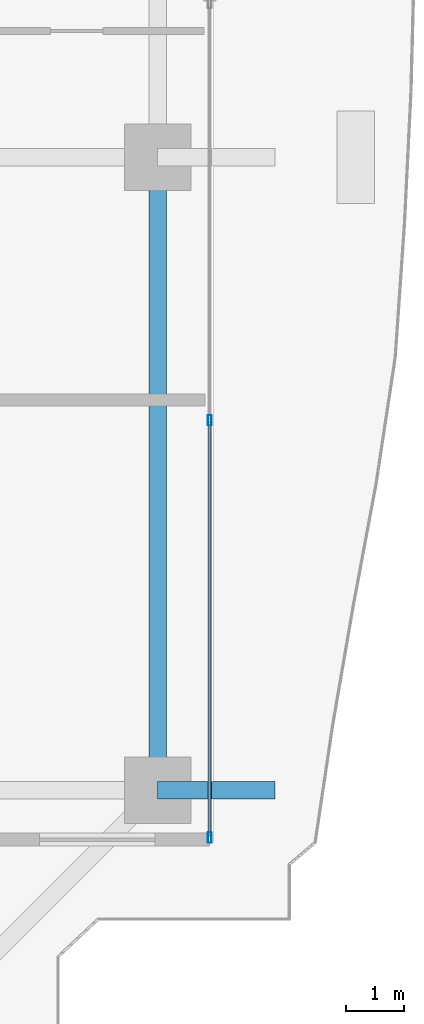
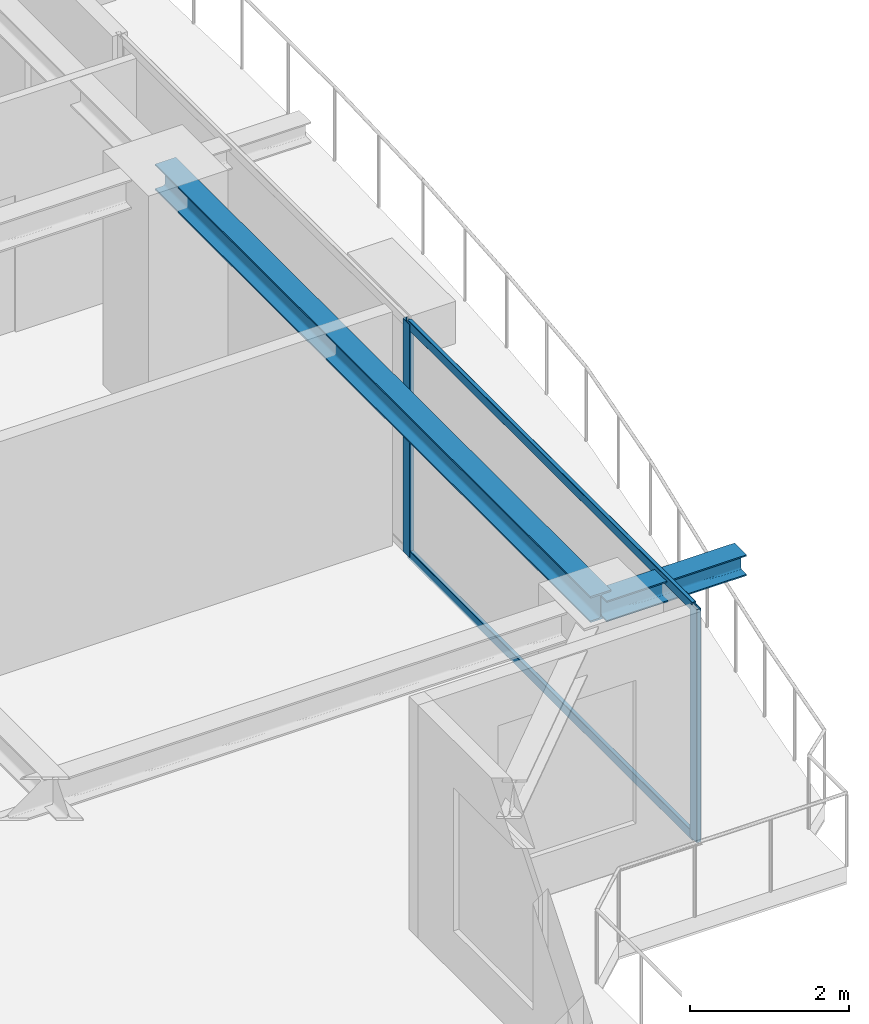
# One storey, part 13 of 37: 4 members, 2 beams, 1 element without a shape of its own.
"""IFC4 building model written with IfcOpenShell, lengths in metres."""

import ifcopenshell
import ifcopenshell.guid

model = None  # the IFC model being written
_history = None  # IfcOwnerHistory: only IFC2X3 demands one
_inside = {}  # id of a spatial element -> (the spatial element, [elements in it])
_under = {}  # id of a project, library or spatial element -> (it, [spatial elements below it])
_declared = {}  # id of a project -> (the project, [libraries it declares])
_typed = {}  # id of a type object -> (the type object, [elements of that type])
_made_of = {}  # id of a material, layer set ... -> (it, [elements and type objects made of it])


def new_model(schema):
    """Start an empty IFC model of exactly this schema.

    Asked for "IFC4X3", IfcOpenShell would pick the latest addendum, in which some entities
    have other attributes; the version numbers below select the first issue.
    IFC2X3 requires an IfcOwnerHistory on every rooted entity: one is made here for all.
    """
    global model, _history
    if schema == "IFC4X3":
        model = ifcopenshell.file(schema_version=(4, 3, 0, 0))
    else:
        model = ifcopenshell.file(schema=schema)
    _inside.clear()
    _under.clear()
    _declared.clear()
    _typed.clear()
    _made_of.clear()
    _history = None
    if model.schema == "IFC2X3":
        org = make("IfcOrganization", Name="unknown")
        user = make(
            "IfcPersonAndOrganization",
            ThePerson=make("IfcPerson", FamilyName="unknown"),
            TheOrganization=org,
        )
        app = make(
            "IfcApplication",
            ApplicationDeveloper=org,
            Version="unknown",
            ApplicationFullName="unknown",
            ApplicationIdentifier="unknown",
        )
        _history = make(
            "IfcOwnerHistory",
            OwningUser=user,
            OwningApplication=app,
            ChangeAction="ADDED",
            CreationDate=0,
        )
    return model


def make(cls, **values):
    """One entity of the class cls with the attributes given. An attribute that is None is left unset."""
    return model.create_entity(
        cls, **{name: value for name, value in values.items() if value is not None}
    )


def rooted(cls, **values):
    """An entity with a GlobalId (a new one), such as an element, a storey or a relation."""
    return make(cls, GlobalId=ifcopenshell.guid.new(), OwnerHistory=_history, **values)


def si_unit(unit_type, name, prefix=None):
    """IfcSIUnit, for example si_unit("LENGTHUNIT", "METRE", prefix="MILLI")."""
    return make("IfcSIUnit", UnitType=unit_type, Prefix=prefix, Name=name)


def assignment(units):
    """IfcUnitAssignment: the units of a project."""
    return None if units is None else make("IfcUnitAssignment", Units=units)


def point(xyz):
    """IfcCartesianPoint."""
    return None if xyz is None else make("IfcCartesianPoint", Coordinates=xyz)


def direction(xyz):
    """IfcDirection."""
    return None if xyz is None else make("IfcDirection", DirectionRatios=xyz)


def frame(location, z_axis=None, x_axis=None):
    """IfcAxis2Placement3D, a coordinate frame: its origin and axes. An axis left out is left unset."""
    return make(
        "IfcAxis2Placement3D",
        Location=point(location),
        Axis=direction(z_axis),
        RefDirection=direction(x_axis),
    )


def frame_2d(location, x_axis=None):
    """IfcAxis2Placement2D, a coordinate frame in the plane: its origin and x axis."""
    return make(
        "IfcAxis2Placement2D", Location=point(location), RefDirection=direction(x_axis)
    )


def origin():
    """The frame at (0, 0, 0) with its axes left unset."""
    return frame((0.0, 0.0, 0.0))


def origin_2d():
    """The frame at (0, 0) in the plane with its x axis left unset."""
    return frame_2d((0.0, 0.0))


def place(relative_to, where):
    """IfcLocalPlacement: puts the frame where relative to a parent placement (None: the world)."""
    return make(
        "IfcLocalPlacement", PlacementRelTo=relative_to, RelativePlacement=where
    )


def context(
    kind, dimensions, precision=None, world=None, true_north=None, identifier=None
):
    """IfcGeometricRepresentationContext, for example the 3D "Model" context."""
    return make(
        "IfcGeometricRepresentationContext",
        ContextIdentifier=identifier,
        ContextType=kind,
        CoordinateSpaceDimension=dimensions,
        Precision=precision,
        WorldCoordinateSystem=world,
        TrueNorth=true_north,
    )


def subcontext(parent, identifier, kind, view, scale=None):
    """IfcGeometricRepresentationSubContext, for example "Body" below "Model"."""
    return make(
        "IfcGeometricRepresentationSubContext",
        ContextIdentifier=identifier,
        ContextType=kind,
        ParentContext=parent,
        TargetScale=scale,
        TargetView=view,
    )


def project(units=None, contexts=None):
    """IfcProject with its units and contexts."""
    return rooted(
        "IfcProject",
        Name="project",
        RepresentationContexts=contexts,
        UnitsInContext=assignment(units),
    )


def spatial(cls, under=None, at=None, **own):
    """A site, building, storey or space (cls), placed at a placement, below another one or the project."""
    s = rooted(cls, ObjectPlacement=at, **own)
    if under is not None:
        _under.setdefault(under.id(), (under, []))[1].append(s)
    return s


def profile(cls, at=None, kind="AREA", **sizes):
    """A parametric profile (cls). Its sizes go by their IFC names, for example OverallWidth=200.0."""
    return make(cls, ProfileType=kind, Position=at, **sizes)


def hollow_rectangle(**sizes):
    """IfcRectangleHollowProfileDef."""
    return profile("IfcRectangleHollowProfileDef", **sizes)


def i_section(**sizes):
    """IfcIShapeProfileDef."""
    return profile("IfcIShapeProfileDef", **sizes)


def extrude(swept, where, along, depth):
    """IfcExtrudedAreaSolid: the profile swept, set in the frame where, extruded along a direction by depth."""
    return make(
        "IfcExtrudedAreaSolid",
        SweptArea=swept,
        Position=where,
        ExtrudedDirection=direction(along),
        Depth=depth,
    )


def shape(context_of_items, identifier, shape_type, items):
    """IfcShapeRepresentation: the items that make up one representation, for example the "Body"."""
    return make(
        "IfcShapeRepresentation",
        ContextOfItems=context_of_items,
        RepresentationIdentifier=identifier,
        RepresentationType=shape_type,
        Items=items,
    )


def source(mapping_origin, context_of_items, identifier, shape_type, items):
    """IfcRepresentationMap: a shape defined once, which mapped items show again and again."""
    return make(
        "IfcRepresentationMap",
        MappingOrigin=mapping_origin,
        MappedRepresentation=shape(context_of_items, identifier, shape_type, items),
    )


def transform(
    local_origin,
    x_axis=None,
    y_axis=None,
    z_axis=None,
    scale=None,
    scale2=None,
    scale3=None,
    uniform=True,
):
    """IfcCartesianTransformationOperator3D, or its non-uniform kind. x_axis, y_axis, z_axis: its Axis1, 2, 3."""
    if uniform:
        return make(
            "IfcCartesianTransformationOperator3D",
            Axis1=direction(x_axis),
            Axis2=direction(y_axis),
            LocalOrigin=point(local_origin),
            Scale=scale,
            Axis3=direction(z_axis),
        )
    return make(
        "IfcCartesianTransformationOperator3DnonUniform",
        Axis1=direction(x_axis),
        Axis2=direction(y_axis),
        LocalOrigin=point(local_origin),
        Scale=scale,
        Axis3=direction(z_axis),
        Scale2=scale2,
        Scale3=scale3,
    )


def mapped(mapping_source, mapping_target):
    """IfcMappedItem: shows the shape of a source again, moved by a transform."""
    return make(
        "IfcMappedItem", MappingSource=mapping_source, MappingTarget=mapping_target
    )


def material(Name=None, Category=None):
    """IfcMaterial."""
    return make("IfcMaterial", Name=Name, Category=Category)


def layer(
    of_material, thickness, ventilated=None, Name=None, Category=None, Priority=None
):
    """IfcMaterialLayer: one layer of a wall or slab, of a material (None: an air gap)."""
    return make(
        "IfcMaterialLayer",
        Material=of_material,
        LayerThickness=thickness,
        IsVentilated=ventilated,
        Name=Name,
        Category=Category,
        Priority=Priority,
    )


def layer_set(layers, Name=None):
    """IfcMaterialLayerSet."""
    return make("IfcMaterialLayerSet", MaterialLayers=layers, LayerSetName=Name)


def material_profile(
    of_material, cross_section, Name=None, Category=None, Priority=None
):
    """IfcMaterialProfile: a cross section and its material."""
    return make(
        "IfcMaterialProfile",
        Name=Name,
        Material=of_material,
        Profile=cross_section,
        Priority=Priority,
        Category=Category,
    )


def profile_set(profiles, Name=None, composite=None):
    """IfcMaterialProfileSet."""
    return make(
        "IfcMaterialProfileSet",
        Name=Name,
        MaterialProfiles=profiles,
        CompositeProfile=composite,
    )


def made_of(thing, what):
    """Note that an element or type object is made of a material, layer set ...; save() writes the relation."""
    if what is not None:
        _made_of.setdefault(what.id(), (what, []))[1].append(thing)
    return thing


def type_object(cls, material=None, **own):
    """A type object (cls), such as IfcWallType, which elements share."""
    return made_of(rooted(cls, **own), material)


def element(
    cls,
    number,
    at=None,
    inside=None,
    cuts=None,
    type_object=None,
    material=None,
    context=None,
    identifier="Body",
    shape_type=None,
    held_by="IfcProductDefinitionShape",
    body=None,
    shapes=None,
    **own,
):
    """One element of the class cls, such as IfcWall. Its Tag is "e" and its number.

    at: its placement. inside: the storey or other place that contains it. cuts: it is an
    opening in that element (IfcRelVoidsElement). A single representation is given by context,
    identifier, shape_type and body (its items); several are given by shapes. held_by: the class
    of the entity that holds the representations. save() writes the other relations.
    """
    e = rooted(cls, Tag="e%d" % number, ObjectPlacement=at, **own)
    if body is not None:
        shapes = [shape(context, identifier, shape_type, body)]
    if shapes is not None:
        e.Representation = make(held_by, Representations=shapes)
    if inside is not None:
        _inside.setdefault(inside.id(), (inside, []))[1].append(e)
    if cuts is not None:
        rooted(
            "IfcRelVoidsElement", RelatingBuildingElement=cuts, RelatedOpeningElement=e
        )
    if type_object is not None:
        _typed.setdefault(type_object.id(), (type_object, []))[1].append(e)
    return made_of(e, material)


def aggregate(whole, parts):
    """IfcRelAggregates: a whole, such as a stair, and the parts it consists of."""
    return rooted("IfcRelAggregates", RelatingObject=whole, RelatedObjects=parts)


def save(model, path):
    """Write the relations noted so far, then the file.

    IfcRelAggregates (storeys below a building ...), IfcRelContainedInSpatialStructure (elements
    in a storey), IfcRelDefinesByType, IfcRelAssociatesMaterial and IfcRelDeclares: one each for
    every whole, place, type object, material and project.
    """
    for whole, parts in _under.values():
        aggregate(whole, parts)
    for where, things in _inside.values():
        rooted(
            "IfcRelContainedInSpatialStructure",
            RelatedElements=things,
            RelatingStructure=where,
        )
    for kind, things in _typed.values():
        rooted("IfcRelDefinesByType", RelatedObjects=things, RelatingType=kind)
    for what, things in _made_of.values():
        rooted("IfcRelAssociatesMaterial", RelatedObjects=things, RelatingMaterial=what)
    for by, libraries in _declared.values():
        rooted("IfcRelDeclares", RelatingContext=by, RelatedDefinitions=libraries)
    model.write(path)


model = new_model("IFC4")

# Units and contexts
model_context = context("Model", 3, precision=1e-05, world=origin(), true_north=direction((0.0, 1.0)))
body_context = subcontext(model_context, "Body", "Model", "MODEL_VIEW")
ifc_project = project(units=[si_unit("LENGTHUNIT", "METRE"), si_unit("AREAUNIT", "SQUARE_METRE"), si_unit("VOLUMEUNIT", "CUBIC_METRE"), si_unit("PLANEANGLEUNIT", "RADIAN"), si_unit("MASSUNIT", "GRAM", prefix="KILO")], contexts=[model_context])

# Site, building, storey
site_placement = place(None, origin())
site = spatial("IfcSite", under=ifc_project, at=site_placement, CompositionType="ELEMENT")
building_placement = place(site_placement, origin())
building = spatial("IfcBuilding", under=site, at=building_placement, Name="Serunith Strait Residences", CompositionType="ELEMENT")
storey_placement = place(building_placement, frame((0.0, 0.0, 233.550048828125)))
storey = spatial("IfcBuildingStorey", under=building, at=storey_placement, Name="L58", CompositionType="ELEMENT", Elevation=233.550048828125)

# Beams
ifc_material_1 = material(Name="Steel S355J2", Category="steel")
ifc_material_profile_1 = material_profile(ifc_material_1, i_section(OverallWidth=0.300048828125, OverallDepth=0.39990234375, WebThickness=0.013427734375, FlangeThickness=0.02392578125, FilletRadius=0.027099609375, at=origin_2d()), Name="HEB 400")
ifc_profile_set_1 = profile_set([ifc_material_profile_1], Name="Steel S355J2")
beam_type_1 = type_object("IfcBeamType", Name="BM-HEB400", PredefinedType="BEAM", material=ifc_profile_set_1)
shared_shape_1 = source(origin(), body_context, "Body", "SweptSolid", [
    extrude(i_section(OverallWidth=0.300048828125, OverallDepth=0.39990234375, WebThickness=0.013427734375, FlangeThickness=0.02392578125, FilletRadius=0.027099609375, at=origin_2d()), origin(), (0.0, 0.0, 1.0), 10.949951171875),
])
beam_1_placement = place(storey_placement, frame((56.5, 10.050048828125, 3.386962890625), z_axis=(0.0, 1.0, 0.0), x_axis=(-1.0, 0.0, 0.0)))
element("IfcBeam", 1, at=beam_1_placement, inside=storey, type_object=beam_type_1, Name="L58 Perimeter Ring Beam 05", PredefinedType="BEAM", context=body_context, shape_type="MappedRepresentation", body=[
    mapped(shared_shape_1, transform((0.0, 0.0, 0.0), scale=1.0)),
])
ifc_material_profile_2 = material_profile(ifc_material_1, i_section(OverallWidth=0.300048828125, OverallDepth=0.320068359375, WebThickness=0.011474609375, FlangeThickness=0.0205078125, FilletRadius=0.027099609375, at=origin_2d()), Name="HEB 320")
ifc_profile_set_2 = profile_set([ifc_material_profile_2], Name="Steel S355J2")
beam_type_2 = type_object("IfcBeamType", Name="BM-HEB320", PredefinedType="BEAM", material=ifc_profile_set_2)
shared_shape_2 = source(origin(), body_context, "Body", "SweptSolid", [
    extrude(i_section(OverallWidth=0.300048828125, OverallDepth=0.320068359375, WebThickness=0.011474609375, FlangeThickness=0.0205078125, FilletRadius=0.027099609375, at=origin_2d()), origin(), (0.0, 0.0, 1.0), 2.030029296875),
])
beam_2_placement = place(storey_placement, frame((56.5, 10.050048828125, 3.39697265625), z_axis=(1.0, 0.0, 0.0), x_axis=(0.0, 1.0, 0.0)))
element("IfcBeam", 2, at=beam_2_placement, inside=storey, type_object=beam_type_2, Name="L59 Cantilevered Balcony Rib TC-E1", PredefinedType="BEAM", context=body_context, shape_type="MappedRepresentation", body=[
    mapped(shared_shape_2, transform((0.0, 0.0, 0.0), scale=1.0)),
])

# Curtain wall, members
ifc_material_2 = material(Name="Pale-Champagne Anodised Aluminium", Category="aluminium")
ifc_layer = layer(ifc_material_2, 0.199951171875, Name="Pale-Champagne Anodised Aluminium")
ifc_layer_set = layer_set([ifc_layer], Name="Pale-Champagne Anodised Aluminium")
curtain_wall_type = type_object("IfcCurtainWallType", Name="CW-SYS4", PredefinedType="NOTDEFINED", material=ifc_layer_set)
curtain_wall_placement = place(storey_placement, origin())
curtain_wall = element("IfcCurtainWall", 3, at=curtain_wall_placement, inside=storey, type_object=curtain_wall_type, Name="L58 E Unitised Fritted Curtain Wall", PredefinedType="NOTDEFINED")
ifc_material_profile_3 = material_profile(ifc_material_2, hollow_rectangle(XDim=0.06494140625, YDim=0.179931640625, WallThickness=0.00341796875, InnerFilletRadius=0.00537109375, OuterFilletRadius=0.0087890625, at=origin_2d()), Name="ALU 180x65x3.5")
ifc_profile_set_3 = profile_set([ifc_material_profile_3], Name="Pale-Champagne Anodised Aluminium")
member_type_1 = type_object("IfcMemberType", Name="CW-SYS4-MULL", PredefinedType="MULLION", material=ifc_profile_set_3)
shared_shape_3 = source(origin(), body_context, "Body", "SweptSolid", [
    extrude(hollow_rectangle(XDim=0.06494140625, YDim=0.179931640625, WallThickness=0.00341796875, InnerFilletRadius=0.00537109375, OuterFilletRadius=0.0087890625, at=origin_2d()), origin(), (0.0, 0.0, 1.0), 3.574951171875),
])
member_1_placement = place(storey_placement, frame((57.39990234375, 9.232421875, 0.0), z_axis=(0.0, 0.0, 1.0), x_axis=(-1.0, 0.0, 0.0)))
member_1 = element("IfcMember", 4, at=member_1_placement, type_object=member_type_1, Name="CW-4 mullion 1", PredefinedType="MULLION", context=body_context, shape_type="MappedRepresentation", body=[
    mapped(shared_shape_3, transform((0.0, 0.0, 0.0), scale=1.0)),
])
member_2_placement = place(storey_placement, frame((57.39990234375, 16.449951171875, 0.0), z_axis=(0.0, 0.0, 1.0), x_axis=(-1.0, 0.0, 0.0)))
member_2 = element("IfcMember", 5, at=member_2_placement, type_object=member_type_1, Name="CW-4 mullion 2", PredefinedType="MULLION", context=body_context, shape_type="MappedRepresentation", body=[
    mapped(shared_shape_3, transform((0.0, 0.0, 0.0), scale=1.0)),
])
ifc_material_profile_4 = material_profile(ifc_material_2, hollow_rectangle(XDim=0.06005859375, YDim=0.139892578125, WallThickness=0.00341796875, InnerFilletRadius=0.00537109375, OuterFilletRadius=0.0087890625, at=origin_2d()), Name="ALU 140x60x3.5")
ifc_profile_set_4 = profile_set([ifc_material_profile_4], Name="Pale-Champagne Anodised Aluminium")
member_type_2 = type_object("IfcMemberType", Name="CW-SYS4-TRAN", PredefinedType="USERDEFINED", material=ifc_profile_set_4)
shared_shape_4 = source(origin(), body_context, "Body", "SweptSolid", [
    extrude(hollow_rectangle(XDim=0.06005859375, YDim=0.139892578125, WallThickness=0.00341796875, InnerFilletRadius=0.00537109375, OuterFilletRadius=0.0087890625, at=origin_2d()), origin(), (0.0, 0.0, 1.0), 7.152587890625),
])
member_3_placement = place(storey_placement, frame((57.39990234375, 9.264892578125, 0.030029296875), z_axis=(0.0, 1.0, 0.0), x_axis=(-1.0, 0.0, 0.0)))
member_3 = element("IfcMember", 6, at=member_3_placement, type_object=member_type_2, Name="CW-4 transom 1.1", ObjectType="TRANSOM", PredefinedType="USERDEFINED", context=body_context, shape_type="MappedRepresentation", body=[
    mapped(shared_shape_4, transform((0.0, 0.0, 0.0), scale=1.0)),
])
member_4_placement = place(storey_placement, frame((57.39990234375, 9.264892578125, 3.544921875), z_axis=(0.0, 1.0, 0.0), x_axis=(-1.0, 0.0, 0.0)))
member_4 = element("IfcMember", 7, at=member_4_placement, type_object=member_type_2, Name="CW-4 transom 1.2", ObjectType="TRANSOM", PredefinedType="USERDEFINED", context=body_context, shape_type="MappedRepresentation", body=[
    mapped(shared_shape_4, transform((0.0, 0.0, 0.0), scale=1.0)),
])
aggregate(curtain_wall, [member_1, member_2, member_3, member_4])

save(model, "model.ifc")
